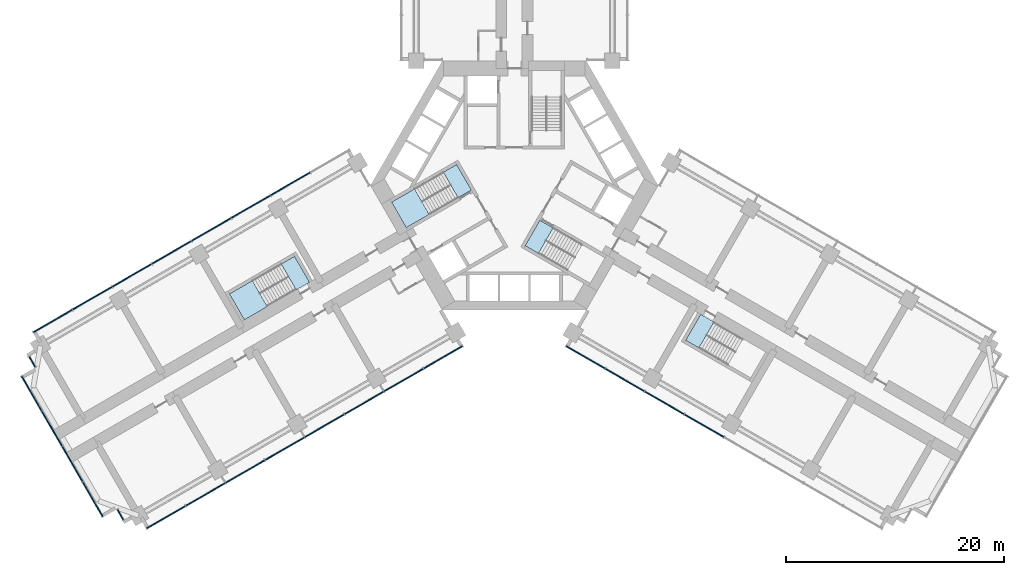
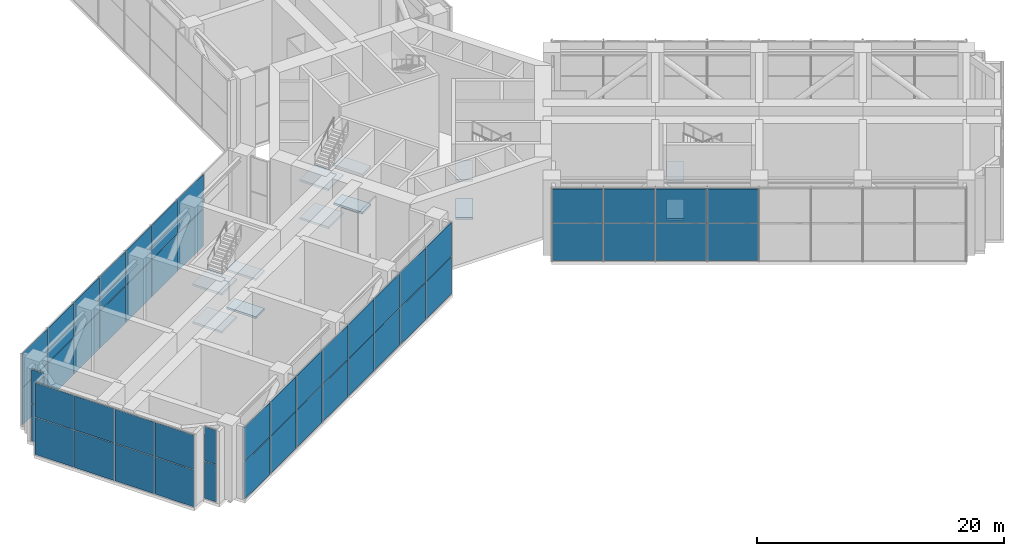
# One storey, part 10 of 19: 50 plates, 12 slabs, 10 elements without a shape of their own.
"""IFC4 building model written with IfcOpenShell, lengths in metres."""

from ifc_helpers import new_model, si_unit, direction, frame, origin, origin_2d, place, context, subcontext, project, spatial, polyline, rectangle, outline, extrude, material, layer, layer_set, type_object, element, aggregate, save


model = new_model("IFC4")

# Units and contexts
model_context = context("Model", 3, precision=1e-05, world=origin(), true_north=direction((0.0, 1.0)))
body_context = subcontext(model_context, "Body", "Model", "MODEL_VIEW")
ifc_project = project(units=[si_unit("LENGTHUNIT", "METRE"), si_unit("AREAUNIT", "SQUARE_METRE"), si_unit("VOLUMEUNIT", "CUBIC_METRE"), si_unit("PLANEANGLEUNIT", "RADIAN"), si_unit("MASSUNIT", "GRAM", prefix="KILO")], contexts=[model_context])

# Site, building, storey
site_placement = place(None, origin())
site = spatial("IfcSite", under=ifc_project, at=site_placement, CompositionType="ELEMENT")
building_placement = place(site_placement, origin())
building = spatial("IfcBuilding", under=site, at=building_placement, Name="Impinga Residences", CompositionType="ELEMENT")
storey_placement = place(building_placement, frame((0.0, 0.0, 93.5)))
storey = spatial("IfcBuildingStorey", under=building, at=storey_placement, Name="L23", CompositionType="ELEMENT", Elevation=93.5)

# Curtain wall, plates
ifc_material_1 = material(Name="Aluminium stick curtain wall", Category="aluminium")
curtain_wall_type = type_object("IfcCurtainWallType", Name="CW4 plant floor louvred curtain wall", PredefinedType="USERDEFINED", material=ifc_material_1)
curtain_wall_1_placement = place(storey_placement, origin())
curtain_wall_1 = element("IfcCurtainWall", 1, at=curtain_wall_1_placement, inside=storey, type_object=curtain_wall_type, Name="Curtain wall CW4 L23", ObjectType="STICK CURTAIN WALL", PredefinedType="USERDEFINED")
ifc_material_2 = material(Name="Aluminium louvre blade panel", Category="aluminium")
ifc_layer_1 = layer(ifc_material_2, 0.10009765625)
ifc_layer_set_1 = layer_set([ifc_layer_1], Name="CW4-P louvre panel 100")
plate_type = type_object("IfcPlateType", Name="CW4-P louvre panel 100", PredefinedType="CURTAIN_PANEL", material=ifc_layer_set_1)
plate_1_placement = place(storey_placement, frame((-36.160888671875, -30.23046875, 0.06005859375), z_axis=(0.0, 0.0, 1.0), x_axis=(-0.499999813995, 0.866025511175, 0.0)))
plate_1 = element("IfcPlate", 2, at=plate_1_placement, type_object=plate_type, Name="CW4 panel 1.1", PredefinedType="CURTAIN_PANEL", context=body_context, shape_type="SweptSolid", body=[
    extrude(rectangle(XDim=1.080078125, YDim=0.10009765625, at=origin_2d()), origin(), (0.0, 0.0, 1.0), 3.659912109375),
])
plate_2_placement = place(storey_placement, frame((-36.160888671875, -30.23046875, 3.77978515625), z_axis=(0.0, 0.0, 1.0), x_axis=(-0.499999813995, 0.866025511175, 0.0)))
plate_2 = element("IfcPlate", 3, at=plate_2_placement, type_object=plate_type, Name="CW4 panel 1.2", PredefinedType="CURTAIN_PANEL", context=body_context, shape_type="SweptSolid", body=[
    extrude(rectangle(XDim=1.080078125, YDim=0.10009765625, at=origin_2d()), origin(), (0.0, 0.0, 1.0), 3.360107421875),
])
aggregate(curtain_wall_1, [plate_1, plate_2])

curtain_wall_2_placement = place(storey_placement, origin())
curtain_wall_2 = element("IfcCurtainWall", 4, at=curtain_wall_2_placement, inside=storey, type_object=curtain_wall_type, Name="Curtain wall CW4 L23", ObjectType="STICK CURTAIN WALL", PredefinedType="USERDEFINED")
plate_3_placement = place(storey_placement, frame((-38.704833984375, -28.82421875, 0.06005859375), z_axis=(0.0, 0.0, 1.0), x_axis=(-0.500000001632, 0.866025402842, 0.0)))
plate_3 = element("IfcPlate", 5, at=plate_3_placement, type_object=plate_type, Name="CW4 panel 1.1", PredefinedType="CURTAIN_PANEL", context=body_context, shape_type="SweptSolid", body=[
    extrude(rectangle(XDim=3.659912109375, YDim=0.10009765625, at=origin_2d()), origin(), (0.0, 0.0, 1.0), 3.659912109375),
])
plate_4_placement = place(storey_placement, frame((-38.704833984375, -28.82421875, 3.77978515625), z_axis=(0.0, 0.0, 1.0), x_axis=(-0.500000001632, 0.866025402842, 0.0)))
plate_4 = element("IfcPlate", 6, at=plate_4_placement, type_object=plate_type, Name="CW4 panel 1.2", PredefinedType="CURTAIN_PANEL", context=body_context, shape_type="SweptSolid", body=[
    extrude(rectangle(XDim=3.659912109375, YDim=0.10009765625, at=origin_2d()), origin(), (0.0, 0.0, 1.0), 3.360107421875),
])
plate_5_placement = place(storey_placement, frame((-40.572509765625, -25.589599609375, 0.06005859375), z_axis=(0.0, 0.0, 1.0), x_axis=(-0.500000001632, 0.866025402842, 0.0)))
plate_5 = element("IfcPlate", 7, at=plate_5_placement, type_object=plate_type, Name="CW4 panel 2.1", PredefinedType="CURTAIN_PANEL", context=body_context, shape_type="SweptSolid", body=[
    extrude(rectangle(XDim=3.68994140625, YDim=0.10009765625, at=origin_2d()), origin(), (0.0, 0.0, 1.0), 3.659912109375),
])
plate_6_placement = place(storey_placement, frame((-40.572509765625, -25.589599609375, 3.77978515625), z_axis=(0.0, 0.0, 1.0), x_axis=(-0.500000001632, 0.866025402842, 0.0)))
plate_6 = element("IfcPlate", 8, at=plate_6_placement, type_object=plate_type, Name="CW4 panel 2.2", PredefinedType="CURTAIN_PANEL", context=body_context, shape_type="SweptSolid", body=[
    extrude(rectangle(XDim=3.68994140625, YDim=0.10009765625, at=origin_2d()), origin(), (0.0, 0.0, 1.0), 3.360107421875),
])
plate_7_placement = place(storey_placement, frame((-42.447509765625, -22.342041015625, 0.06005859375), z_axis=(0.0, 0.0, 1.0), x_axis=(-0.500000001632, 0.866025402842, 0.0)))
plate_7 = element("IfcPlate", 9, at=plate_7_placement, type_object=plate_type, Name="CW4 panel 3.1", PredefinedType="CURTAIN_PANEL", context=body_context, shape_type="SweptSolid", body=[
    extrude(rectangle(XDim=3.68994140625, YDim=0.10009765625, at=origin_2d()), origin(), (0.0, 0.0, 1.0), 3.659912109375),
])
plate_8_placement = place(storey_placement, frame((-42.447509765625, -22.342041015625, 3.77978515625), z_axis=(0.0, 0.0, 1.0), x_axis=(-0.500000001632, 0.866025402842, 0.0)))
plate_8 = element("IfcPlate", 10, at=plate_8_placement, type_object=plate_type, Name="CW4 panel 3.2", PredefinedType="CURTAIN_PANEL", context=body_context, shape_type="SweptSolid", body=[
    extrude(rectangle(XDim=3.68994140625, YDim=0.10009765625, at=origin_2d()), origin(), (0.0, 0.0, 1.0), 3.360107421875),
])
plate_9_placement = place(storey_placement, frame((-44.31494140625, -19.107421875, 0.06005859375), z_axis=(0.0, 0.0, 1.0), x_axis=(-0.500000001632, 0.866025402842, 0.0)))
plate_9 = element("IfcPlate", 11, at=plate_9_placement, type_object=plate_type, Name="CW4 panel 4.1", PredefinedType="CURTAIN_PANEL", context=body_context, shape_type="SweptSolid", body=[
    extrude(rectangle(XDim=3.659912109375, YDim=0.10009765625, at=origin_2d()), origin(), (0.0, 0.0, 1.0), 3.659912109375),
])
plate_10_placement = place(storey_placement, frame((-44.31494140625, -19.107421875, 3.77978515625), z_axis=(0.0, 0.0, 1.0), x_axis=(-0.500000001632, 0.866025402842, 0.0)))
plate_10 = element("IfcPlate", 12, at=plate_10_placement, type_object=plate_type, Name="CW4 panel 4.2", PredefinedType="CURTAIN_PANEL", context=body_context, shape_type="SweptSolid", body=[
    extrude(rectangle(XDim=3.659912109375, YDim=0.10009765625, at=origin_2d()), origin(), (0.0, 0.0, 1.0), 3.360107421875),
])
aggregate(curtain_wall_2, [plate_3, plate_4, plate_5, plate_6, plate_7, plate_8, plate_9, plate_10])

curtain_wall_3_placement = place(storey_placement, origin())
curtain_wall_3 = element("IfcCurtainWall", 13, at=curtain_wall_3_placement, inside=storey, type_object=curtain_wall_type, Name="Curtain wall CW4 L23", ObjectType="STICK CURTAIN WALL", PredefinedType="USERDEFINED")
plate_11_placement = place(storey_placement, frame((-44.260986328125, -16.200927734375, 0.06005859375), z_axis=(0.0, 0.0, 1.0), x_axis=(-0.50000017485, 0.866025302835, 0.0)))
plate_11 = element("IfcPlate", 14, at=plate_11_placement, type_object=plate_type, Name="CW4 panel 1.1", PredefinedType="CURTAIN_PANEL", context=body_context, shape_type="SweptSolid", body=[
    extrude(rectangle(XDim=1.080078125, YDim=0.10009765625, at=origin_2d()), origin(), (0.0, 0.0, 1.0), 3.659912109375),
])
plate_12_placement = place(storey_placement, frame((-44.260986328125, -16.200927734375, 3.77978515625), z_axis=(0.0, 0.0, 1.0), x_axis=(-0.50000017485, 0.866025302835, 0.0)))
plate_12 = element("IfcPlate", 15, at=plate_12_placement, type_object=plate_type, Name="CW4 panel 1.2", PredefinedType="CURTAIN_PANEL", context=body_context, shape_type="SweptSolid", body=[
    extrude(rectangle(XDim=1.080078125, YDim=0.10009765625, at=origin_2d()), origin(), (0.0, 0.0, 1.0), 3.360107421875),
])
aggregate(curtain_wall_3, [plate_11, plate_12])

curtain_wall_4_placement = place(storey_placement, origin())
curtain_wall_4 = element("IfcCurtainWall", 16, at=curtain_wall_4_placement, inside=storey, type_object=curtain_wall_type, Name="Curtain wall CW4 L23", ObjectType="STICK CURTAIN WALL", PredefinedType="USERDEFINED")
plate_13_placement = place(storey_placement, frame((-42.36669921875, -12.45166015625, 0.06005859375), z_axis=(0.0, 0.0, 1.0), x_axis=(0.866025407005, 0.499999994423, 0.0)))
plate_13 = element("IfcPlate", 17, at=plate_13_placement, type_object=plate_type, Name="CW4 panel 1.1", PredefinedType="CURTAIN_PANEL", context=body_context, shape_type="SweptSolid", body=[
    extrude(rectangle(XDim=4.110107421875, YDim=0.10009765625, at=origin_2d()), origin(), (0.0, 0.0, 1.0), 3.659912109375),
])
plate_14_placement = place(storey_placement, frame((-42.36669921875, -12.45166015625, 3.77978515625), z_axis=(0.0, 0.0, 1.0), x_axis=(0.866025407005, 0.499999994423, 0.0)))
plate_14 = element("IfcPlate", 18, at=plate_14_placement, type_object=plate_type, Name="CW4 panel 1.2", PredefinedType="CURTAIN_PANEL", context=body_context, shape_type="SweptSolid", body=[
    extrude(rectangle(XDim=4.110107421875, YDim=0.10009765625, at=origin_2d()), origin(), (0.0, 0.0, 1.0), 3.360107421875),
])
plate_15_placement = place(storey_placement, frame((-38.742431640625, -10.359130859375, 0.06005859375), z_axis=(0.0, 0.0, 1.0), x_axis=(0.866025407005, 0.499999994423, 0.0)))
plate_15 = element("IfcPlate", 19, at=plate_15_placement, type_object=plate_type, Name="CW4 panel 2.1", PredefinedType="CURTAIN_PANEL", context=body_context, shape_type="SweptSolid", body=[
    extrude(rectangle(XDim=4.139892578125, YDim=0.10009765625, at=origin_2d()), origin(), (0.0, 0.0, 1.0), 3.659912109375),
])
plate_16_placement = place(storey_placement, frame((-38.742431640625, -10.359130859375, 3.77978515625), z_axis=(0.0, 0.0, 1.0), x_axis=(0.866025407005, 0.499999994423, 0.0)))
plate_16 = element("IfcPlate", 20, at=plate_16_placement, type_object=plate_type, Name="CW4 panel 2.2", PredefinedType="CURTAIN_PANEL", context=body_context, shape_type="SweptSolid", body=[
    extrude(rectangle(XDim=4.139892578125, YDim=0.10009765625, at=origin_2d()), origin(), (0.0, 0.0, 1.0), 3.360107421875),
])
plate_17_placement = place(storey_placement, frame((-35.105224609375, -8.259033203125, 0.06005859375), z_axis=(0.0, 0.0, 1.0), x_axis=(0.866025407005, 0.499999994423, 0.0)))
plate_17 = element("IfcPlate", 21, at=plate_17_placement, type_object=plate_type, Name="CW4 panel 3.1", PredefinedType="CURTAIN_PANEL", context=body_context, shape_type="SweptSolid", body=[
    extrude(rectangle(XDim=4.139892578125, YDim=0.10009765625, at=origin_2d()), origin(), (0.0, 0.0, 1.0), 3.659912109375),
])
plate_18_placement = place(storey_placement, frame((-35.105224609375, -8.259033203125, 3.77978515625), z_axis=(0.0, 0.0, 1.0), x_axis=(0.866025407005, 0.499999994423, 0.0)))
plate_18 = element("IfcPlate", 22, at=plate_18_placement, type_object=plate_type, Name="CW4 panel 3.2", PredefinedType="CURTAIN_PANEL", context=body_context, shape_type="SweptSolid", body=[
    extrude(rectangle(XDim=4.139892578125, YDim=0.10009765625, at=origin_2d()), origin(), (0.0, 0.0, 1.0), 3.360107421875),
])
plate_19_placement = place(storey_placement, frame((-31.4677734375, -6.1591796875, 0.06005859375), z_axis=(0.0, 0.0, 1.0), x_axis=(0.866025407005, 0.499999994423, 0.0)))
plate_19 = element("IfcPlate", 23, at=plate_19_placement, type_object=plate_type, Name="CW4 panel 4.1", PredefinedType="CURTAIN_PANEL", context=body_context, shape_type="SweptSolid", body=[
    extrude(rectangle(XDim=4.139892578125, YDim=0.10009765625, at=origin_2d()), origin(), (0.0, 0.0, 1.0), 3.659912109375),
])
plate_20_placement = place(storey_placement, frame((-31.4677734375, -6.1591796875, 3.77978515625), z_axis=(0.0, 0.0, 1.0), x_axis=(0.866025407005, 0.499999994423, 0.0)))
plate_20 = element("IfcPlate", 24, at=plate_20_placement, type_object=plate_type, Name="CW4 panel 4.2", PredefinedType="CURTAIN_PANEL", context=body_context, shape_type="SweptSolid", body=[
    extrude(rectangle(XDim=4.139892578125, YDim=0.10009765625, at=origin_2d()), origin(), (0.0, 0.0, 1.0), 3.360107421875),
])
plate_21_placement = place(storey_placement, frame((-27.83056640625, -4.05908203125, 0.06005859375), z_axis=(0.0, 0.0, 1.0), x_axis=(0.866025407005, 0.499999994423, 0.0)))
plate_21 = element("IfcPlate", 25, at=plate_21_placement, type_object=plate_type, Name="CW4 panel 5.1", PredefinedType="CURTAIN_PANEL", context=body_context, shape_type="SweptSolid", body=[
    extrude(rectangle(XDim=4.139892578125, YDim=0.10009765625, at=origin_2d()), origin(), (0.0, 0.0, 1.0), 3.659912109375),
])
plate_22_placement = place(storey_placement, frame((-27.83056640625, -4.05908203125, 3.77978515625), z_axis=(0.0, 0.0, 1.0), x_axis=(0.866025407005, 0.499999994423, 0.0)))
plate_22 = element("IfcPlate", 26, at=plate_22_placement, type_object=plate_type, Name="CW4 panel 5.2", PredefinedType="CURTAIN_PANEL", context=body_context, shape_type="SweptSolid", body=[
    extrude(rectangle(XDim=4.139892578125, YDim=0.10009765625, at=origin_2d()), origin(), (0.0, 0.0, 1.0), 3.360107421875),
])
plate_23_placement = place(storey_placement, frame((-24.193359375, -1.958984375, 0.06005859375), z_axis=(0.0, 0.0, 1.0), x_axis=(0.866025407005, 0.499999994423, 0.0)))
plate_23 = element("IfcPlate", 27, at=plate_23_placement, type_object=plate_type, Name="CW4 panel 6.1", PredefinedType="CURTAIN_PANEL", context=body_context, shape_type="SweptSolid", body=[
    extrude(rectangle(XDim=4.139892578125, YDim=0.10009765625, at=origin_2d()), origin(), (0.0, 0.0, 1.0), 3.659912109375),
])
plate_24_placement = place(storey_placement, frame((-24.193359375, -1.958984375, 3.77978515625), z_axis=(0.0, 0.0, 1.0), x_axis=(0.866025407005, 0.499999994423, 0.0)))
plate_24 = element("IfcPlate", 28, at=plate_24_placement, type_object=plate_type, Name="CW4 panel 6.2", PredefinedType="CURTAIN_PANEL", context=body_context, shape_type="SweptSolid", body=[
    extrude(rectangle(XDim=4.139892578125, YDim=0.10009765625, at=origin_2d()), origin(), (0.0, 0.0, 1.0), 3.360107421875),
])
plate_25_placement = place(storey_placement, frame((-20.555908203125, 0.140869140625, 0.06005859375), z_axis=(0.0, 0.0, 1.0), x_axis=(0.866025407005, 0.499999994423, 0.0)))
plate_25 = element("IfcPlate", 29, at=plate_25_placement, type_object=plate_type, Name="CW4 panel 7.1", PredefinedType="CURTAIN_PANEL", context=body_context, shape_type="SweptSolid", body=[
    extrude(rectangle(XDim=4.139892578125, YDim=0.10009765625, at=origin_2d()), origin(), (0.0, 0.0, 1.0), 3.659912109375),
])
plate_26_placement = place(storey_placement, frame((-20.555908203125, 0.140869140625, 3.77978515625), z_axis=(0.0, 0.0, 1.0), x_axis=(0.866025407005, 0.499999994423, 0.0)))
plate_26 = element("IfcPlate", 30, at=plate_26_placement, type_object=plate_type, Name="CW4 panel 7.2", PredefinedType="CURTAIN_PANEL", context=body_context, shape_type="SweptSolid", body=[
    extrude(rectangle(XDim=4.139892578125, YDim=0.10009765625, at=origin_2d()), origin(), (0.0, 0.0, 1.0), 3.360107421875),
])
aggregate(curtain_wall_4, [plate_13, plate_14, plate_15, plate_16, plate_17, plate_18, plate_19, plate_20, plate_21, plate_22, plate_23, plate_24, plate_25, plate_26])

curtain_wall_5_placement = place(storey_placement, origin())
curtain_wall_5 = element("IfcCurtainWall", 31, at=curtain_wall_5_placement, inside=storey, type_object=curtain_wall_type, Name="Curtain wall CW4 L23", ObjectType="STICK CURTAIN WALL", PredefinedType="USERDEFINED")
plate_27_placement = place(storey_placement, frame((17.4306640625, -22.072509765625, 0.06005859375), z_axis=(0.0, 0.0, 1.0), x_axis=(-0.866025407005, 0.499999994423, 0.0)))
plate_27 = element("IfcPlate", 32, at=plate_27_placement, type_object=plate_type, Name="CW4 panel 5.1", PredefinedType="CURTAIN_PANEL", context=body_context, shape_type="SweptSolid", body=[
    extrude(rectangle(XDim=4.139892578125, YDim=0.10009765625, at=origin_2d()), origin(), (0.0, 0.0, 1.0), 3.659912109375),
])
plate_28_placement = place(storey_placement, frame((17.4306640625, -22.072509765625, 3.77978515625), z_axis=(0.0, 0.0, 1.0), x_axis=(-0.866025407005, 0.499999994423, 0.0)))
plate_28 = element("IfcPlate", 33, at=plate_28_placement, type_object=plate_type, Name="CW4 panel 5.2", PredefinedType="CURTAIN_PANEL", context=body_context, shape_type="SweptSolid", body=[
    extrude(rectangle(XDim=4.139892578125, YDim=0.10009765625, at=origin_2d()), origin(), (0.0, 0.0, 1.0), 3.360107421875),
])
plate_29_placement = place(storey_placement, frame((13.793212890625, -19.972412109375, 0.06005859375), z_axis=(0.0, 0.0, 1.0), x_axis=(-0.866025407005, 0.499999994423, 0.0)))
plate_29 = element("IfcPlate", 34, at=plate_29_placement, type_object=plate_type, Name="CW4 panel 6.1", PredefinedType="CURTAIN_PANEL", context=body_context, shape_type="SweptSolid", body=[
    extrude(rectangle(XDim=4.139892578125, YDim=0.10009765625, at=origin_2d()), origin(), (0.0, 0.0, 1.0), 3.659912109375),
])
plate_30_placement = place(storey_placement, frame((13.793212890625, -19.972412109375, 3.77978515625), z_axis=(0.0, 0.0, 1.0), x_axis=(-0.866025407005, 0.499999994423, 0.0)))
plate_30 = element("IfcPlate", 35, at=plate_30_placement, type_object=plate_type, Name="CW4 panel 6.2", PredefinedType="CURTAIN_PANEL", context=body_context, shape_type="SweptSolid", body=[
    extrude(rectangle(XDim=4.139892578125, YDim=0.10009765625, at=origin_2d()), origin(), (0.0, 0.0, 1.0), 3.360107421875),
])
plate_31_placement = place(storey_placement, frame((10.156005859375, -17.872314453125, 0.06005859375), z_axis=(0.0, 0.0, 1.0), x_axis=(-0.866025407005, 0.499999994423, 0.0)))
plate_31 = element("IfcPlate", 36, at=plate_31_placement, type_object=plate_type, Name="CW4 panel 7.1", PredefinedType="CURTAIN_PANEL", context=body_context, shape_type="SweptSolid", body=[
    extrude(rectangle(XDim=4.139892578125, YDim=0.10009765625, at=origin_2d()), origin(), (0.0, 0.0, 1.0), 3.659912109375),
])
plate_32_placement = place(storey_placement, frame((10.156005859375, -17.872314453125, 3.77978515625), z_axis=(0.0, 0.0, 1.0), x_axis=(-0.866025407005, 0.499999994423, 0.0)))
plate_32 = element("IfcPlate", 37, at=plate_32_placement, type_object=plate_type, Name="CW4 panel 7.2", PredefinedType="CURTAIN_PANEL", context=body_context, shape_type="SweptSolid", body=[
    extrude(rectangle(XDim=4.139892578125, YDim=0.10009765625, at=origin_2d()), origin(), (0.0, 0.0, 1.0), 3.360107421875),
])
plate_33_placement = place(storey_placement, frame((6.53173828125, -15.780029296875, 0.06005859375), z_axis=(0.0, 0.0, 1.0), x_axis=(-0.866025407005, 0.499999994423, 0.0)))
plate_33 = element("IfcPlate", 38, at=plate_33_placement, type_object=plate_type, Name="CW4 panel 8.1", PredefinedType="CURTAIN_PANEL", context=body_context, shape_type="SweptSolid", body=[
    extrude(rectangle(XDim=4.110107421875, YDim=0.10009765625, at=origin_2d()), origin(), (0.0, 0.0, 1.0), 3.659912109375),
])
plate_34_placement = place(storey_placement, frame((6.53173828125, -15.780029296875, 3.77978515625), z_axis=(0.0, 0.0, 1.0), x_axis=(-0.866025407005, 0.499999994423, 0.0)))
plate_34 = element("IfcPlate", 39, at=plate_34_placement, type_object=plate_type, Name="CW4 panel 8.2", PredefinedType="CURTAIN_PANEL", context=body_context, shape_type="SweptSolid", body=[
    extrude(rectangle(XDim=4.110107421875, YDim=0.10009765625, at=origin_2d()), origin(), (0.0, 0.0, 1.0), 3.360107421875),
])
aggregate(curtain_wall_5, [plate_27, plate_28, plate_29, plate_30, plate_31, plate_32, plate_33, plate_34])

curtain_wall_6_placement = place(storey_placement, origin())
curtain_wall_6 = element("IfcCurtainWall", 40, at=curtain_wall_6_placement, inside=storey, type_object=curtain_wall_type, Name="Curtain wall CW4 L23", ObjectType="STICK CURTAIN WALL", PredefinedType="USERDEFINED")
plate_35_placement = place(storey_placement, frame((-6.53173828125, -15.780029296875, 0.06005859375), z_axis=(0.0, 0.0, 1.0), x_axis=(-0.866025407005, -0.499999994423, 0.0)))
plate_35 = element("IfcPlate", 41, at=plate_35_placement, type_object=plate_type, Name="CW4 panel 1.1", PredefinedType="CURTAIN_PANEL", context=body_context, shape_type="SweptSolid", body=[
    extrude(rectangle(XDim=4.110107421875, YDim=0.10009765625, at=origin_2d()), origin(), (0.0, 0.0, 1.0), 3.659912109375),
])
plate_36_placement = place(storey_placement, frame((-6.53173828125, -15.780029296875, 3.77978515625), z_axis=(0.0, 0.0, 1.0), x_axis=(-0.866025407005, -0.499999994423, 0.0)))
plate_36 = element("IfcPlate", 42, at=plate_36_placement, type_object=plate_type, Name="CW4 panel 1.2", PredefinedType="CURTAIN_PANEL", context=body_context, shape_type="SweptSolid", body=[
    extrude(rectangle(XDim=4.110107421875, YDim=0.10009765625, at=origin_2d()), origin(), (0.0, 0.0, 1.0), 3.360107421875),
])
plate_37_placement = place(storey_placement, frame((-10.156005859375, -17.872314453125, 0.06005859375), z_axis=(0.0, 0.0, 1.0), x_axis=(-0.866025407005, -0.499999994423, 0.0)))
plate_37 = element("IfcPlate", 43, at=plate_37_placement, type_object=plate_type, Name="CW4 panel 2.1", PredefinedType="CURTAIN_PANEL", context=body_context, shape_type="SweptSolid", body=[
    extrude(rectangle(XDim=4.139892578125, YDim=0.10009765625, at=origin_2d()), origin(), (0.0, 0.0, 1.0), 3.659912109375),
])
plate_38_placement = place(storey_placement, frame((-10.156005859375, -17.872314453125, 3.77978515625), z_axis=(0.0, 0.0, 1.0), x_axis=(-0.866025407005, -0.499999994423, 0.0)))
plate_38 = element("IfcPlate", 44, at=plate_38_placement, type_object=plate_type, Name="CW4 panel 2.2", PredefinedType="CURTAIN_PANEL", context=body_context, shape_type="SweptSolid", body=[
    extrude(rectangle(XDim=4.139892578125, YDim=0.10009765625, at=origin_2d()), origin(), (0.0, 0.0, 1.0), 3.360107421875),
])
plate_39_placement = place(storey_placement, frame((-13.793212890625, -19.972412109375, 0.06005859375), z_axis=(0.0, 0.0, 1.0), x_axis=(-0.866025407005, -0.499999994423, 0.0)))
plate_39 = element("IfcPlate", 45, at=plate_39_placement, type_object=plate_type, Name="CW4 panel 3.1", PredefinedType="CURTAIN_PANEL", context=body_context, shape_type="SweptSolid", body=[
    extrude(rectangle(XDim=4.139892578125, YDim=0.10009765625, at=origin_2d()), origin(), (0.0, 0.0, 1.0), 3.659912109375),
])
plate_40_placement = place(storey_placement, frame((-13.793212890625, -19.972412109375, 3.77978515625), z_axis=(0.0, 0.0, 1.0), x_axis=(-0.866025407005, -0.499999994423, 0.0)))
plate_40 = element("IfcPlate", 46, at=plate_40_placement, type_object=plate_type, Name="CW4 panel 3.2", PredefinedType="CURTAIN_PANEL", context=body_context, shape_type="SweptSolid", body=[
    extrude(rectangle(XDim=4.139892578125, YDim=0.10009765625, at=origin_2d()), origin(), (0.0, 0.0, 1.0), 3.360107421875),
])
plate_41_placement = place(storey_placement, frame((-17.4306640625, -22.072509765625, 0.06005859375), z_axis=(0.0, 0.0, 1.0), x_axis=(-0.866025407005, -0.499999994423, 0.0)))
plate_41 = element("IfcPlate", 47, at=plate_41_placement, type_object=plate_type, Name="CW4 panel 4.1", PredefinedType="CURTAIN_PANEL", context=body_context, shape_type="SweptSolid", body=[
    extrude(rectangle(XDim=4.139892578125, YDim=0.10009765625, at=origin_2d()), origin(), (0.0, 0.0, 1.0), 3.659912109375),
])
plate_42_placement = place(storey_placement, frame((-17.4306640625, -22.072509765625, 3.77978515625), z_axis=(0.0, 0.0, 1.0), x_axis=(-0.866025407005, -0.499999994423, 0.0)))
plate_42 = element("IfcPlate", 48, at=plate_42_placement, type_object=plate_type, Name="CW4 panel 4.2", PredefinedType="CURTAIN_PANEL", context=body_context, shape_type="SweptSolid", body=[
    extrude(rectangle(XDim=4.139892578125, YDim=0.10009765625, at=origin_2d()), origin(), (0.0, 0.0, 1.0), 3.360107421875),
])
plate_43_placement = place(storey_placement, frame((-21.06787109375, -24.17236328125, 0.06005859375), z_axis=(0.0, 0.0, 1.0), x_axis=(-0.866025407005, -0.499999994423, 0.0)))
plate_43 = element("IfcPlate", 49, at=plate_43_placement, type_object=plate_type, Name="CW4 panel 5.1", PredefinedType="CURTAIN_PANEL", context=body_context, shape_type="SweptSolid", body=[
    extrude(rectangle(XDim=4.139892578125, YDim=0.10009765625, at=origin_2d()), origin(), (0.0, 0.0, 1.0), 3.659912109375),
])
plate_44_placement = place(storey_placement, frame((-21.06787109375, -24.17236328125, 3.77978515625), z_axis=(0.0, 0.0, 1.0), x_axis=(-0.866025407005, -0.499999994423, 0.0)))
plate_44 = element("IfcPlate", 50, at=plate_44_placement, type_object=plate_type, Name="CW4 panel 5.2", PredefinedType="CURTAIN_PANEL", context=body_context, shape_type="SweptSolid", body=[
    extrude(rectangle(XDim=4.139892578125, YDim=0.10009765625, at=origin_2d()), origin(), (0.0, 0.0, 1.0), 3.360107421875),
])
plate_45_placement = place(storey_placement, frame((-24.705078125, -26.2724609375, 0.06005859375), z_axis=(0.0, 0.0, 1.0), x_axis=(-0.866025407005, -0.499999994423, 0.0)))
plate_45 = element("IfcPlate", 51, at=plate_45_placement, type_object=plate_type, Name="CW4 panel 6.1", PredefinedType="CURTAIN_PANEL", context=body_context, shape_type="SweptSolid", body=[
    extrude(rectangle(XDim=4.139892578125, YDim=0.10009765625, at=origin_2d()), origin(), (0.0, 0.0, 1.0), 3.659912109375),
])
plate_46_placement = place(storey_placement, frame((-24.705078125, -26.2724609375, 3.77978515625), z_axis=(0.0, 0.0, 1.0), x_axis=(-0.866025407005, -0.499999994423, 0.0)))
plate_46 = element("IfcPlate", 52, at=plate_46_placement, type_object=plate_type, Name="CW4 panel 6.2", PredefinedType="CURTAIN_PANEL", context=body_context, shape_type="SweptSolid", body=[
    extrude(rectangle(XDim=4.139892578125, YDim=0.10009765625, at=origin_2d()), origin(), (0.0, 0.0, 1.0), 3.360107421875),
])
plate_47_placement = place(storey_placement, frame((-28.342529296875, -28.372314453125, 0.06005859375), z_axis=(0.0, 0.0, 1.0), x_axis=(-0.866025407005, -0.499999994423, 0.0)))
plate_47 = element("IfcPlate", 53, at=plate_47_placement, type_object=plate_type, Name="CW4 panel 7.1", PredefinedType="CURTAIN_PANEL", context=body_context, shape_type="SweptSolid", body=[
    extrude(rectangle(XDim=4.139892578125, YDim=0.10009765625, at=origin_2d()), origin(), (0.0, 0.0, 1.0), 3.659912109375),
])
plate_48_placement = place(storey_placement, frame((-28.342529296875, -28.372314453125, 3.77978515625), z_axis=(0.0, 0.0, 1.0), x_axis=(-0.866025407005, -0.499999994423, 0.0)))
plate_48 = element("IfcPlate", 54, at=plate_48_placement, type_object=plate_type, Name="CW4 panel 7.2", PredefinedType="CURTAIN_PANEL", context=body_context, shape_type="SweptSolid", body=[
    extrude(rectangle(XDim=4.139892578125, YDim=0.10009765625, at=origin_2d()), origin(), (0.0, 0.0, 1.0), 3.360107421875),
])
plate_49_placement = place(storey_placement, frame((-31.966796875, -30.46484375, 0.06005859375), z_axis=(0.0, 0.0, 1.0), x_axis=(-0.866025407005, -0.499999994423, 0.0)))
plate_49 = element("IfcPlate", 55, at=plate_49_placement, type_object=plate_type, Name="CW4 panel 8.1", PredefinedType="CURTAIN_PANEL", context=body_context, shape_type="SweptSolid", body=[
    extrude(rectangle(XDim=4.110107421875, YDim=0.10009765625, at=origin_2d()), origin(), (0.0, 0.0, 1.0), 3.659912109375),
])
plate_50_placement = place(storey_placement, frame((-31.966796875, -30.46484375, 3.77978515625), z_axis=(0.0, 0.0, 1.0), x_axis=(-0.866025407005, -0.499999994423, 0.0)))
plate_50 = element("IfcPlate", 56, at=plate_50_placement, type_object=plate_type, Name="CW4 panel 8.2", PredefinedType="CURTAIN_PANEL", context=body_context, shape_type="SweptSolid", body=[
    extrude(rectangle(XDim=4.110107421875, YDim=0.10009765625, at=origin_2d()), origin(), (0.0, 0.0, 1.0), 3.360107421875),
])
aggregate(curtain_wall_6, [plate_35, plate_36, plate_37, plate_38, plate_39, plate_40, plate_41, plate_42, plate_43, plate_44, plate_45, plate_46, plate_47, plate_48, plate_49, plate_50])

# Stair, slabs
ifc_material_3 = material(Name="Concrete C40/50", Category="concrete")
stair_type_1 = type_object("IfcStairType", Name="STR core stair 7500 storey, 48 risers", PredefinedType="HALF_TURN_STAIR", material=ifc_material_3)
stair_1_placement = place(storey_placement, origin())
stair_1 = element("IfcStair", 57, at=stair_1_placement, inside=storey, type_object=stair_type_1, Name="Stair ST2 L23", PredefinedType="HALF_TURN_STAIR")
ifc_layer_2 = layer(ifc_material_3, 0.199951171875)
ifc_layer_set_2 = layer_set([ifc_layer_2], Name="Concrete C40/50")
slab_type = type_object("IfcSlabType", Name="LS1 stair landing 200", PredefinedType="LANDING", material=ifc_layer_set_2)
slab_1_placement = place(storey_placement, frame((0.0, 0.0, -0.199951171875)))
slab_1 = element("IfcSlab", 58, at=slab_1_placement, type_object=slab_type, Name="ST2 landing 1", PredefinedType="LANDING", context=body_context, shape_type="SweptSolid", body=[
    extrude(outline(polyline([(-3.943603515625, -0.429443359375), (-5.293701171875, 1.908935546875), (-6.5146484375, 1.203857421875), (-5.164794921875, -1.13427734375), (-3.943603515625, -0.429443359375)])), origin(), (0.0, 0.0, 1.0), 0.199951171875),
])
slab_2_placement = place(storey_placement, frame((0.0, 0.0, 1.675048828125)))
slab_2 = element("IfcSlab", 59, at=slab_2_placement, type_object=slab_type, Name="ST2 landing 2", PredefinedType="LANDING", context=body_context, shape_type="SweptSolid", body=[
    extrude(outline(polyline([(-7.814697265625, -2.664306640625), (-9.164794921875, -0.326171875), (-11.2705078125, -1.541748046875), (-9.920654296875, -3.880126953125), (-7.814697265625, -2.664306640625)])), origin(), (0.0, 0.0, 1.0), 0.199951171875),
])
slab_3_placement = place(storey_placement, frame((0.0, 0.0, 3.550048828125)))
slab_3 = element("IfcSlab", 60, at=slab_3_placement, type_object=slab_type, Name="ST2 landing 3", PredefinedType="LANDING", context=body_context, shape_type="SweptSolid", body=[
    extrude(outline(polyline([(-3.943603515625, -0.429443359375), (-5.293701171875, 1.908935546875), (-6.5146484375, 1.203857421875), (-5.164794921875, -1.13427734375), (-3.943603515625, -0.429443359375)])), origin(), (0.0, 0.0, 1.0), 0.199951171875),
])
slab_4_placement = place(storey_placement, frame((0.0, 0.0, 5.425048828125)))
slab_4 = element("IfcSlab", 61, at=slab_4_placement, type_object=slab_type, Name="ST2 landing 4", PredefinedType="LANDING", context=body_context, shape_type="SweptSolid", body=[
    extrude(outline(polyline([(-7.814697265625, -2.664306640625), (-9.164794921875, -0.326171875), (-11.2705078125, -1.541748046875), (-9.920654296875, -3.880126953125), (-7.814697265625, -2.664306640625)])), origin(), (0.0, 0.0, 1.0), 0.199951171875),
])
aggregate(stair_1, [slab_1, slab_2, slab_3, slab_4])

stair_2_placement = place(storey_placement, origin())
stair_2 = element("IfcStair", 62, at=stair_2_placement, inside=storey, type_object=stair_type_1, Name="Stair ST3 L23", PredefinedType="HALF_TURN_STAIR")
slab_5_placement = place(storey_placement, frame((0.0, 0.0, -0.199951171875)))
slab_5 = element("IfcSlab", 63, at=slab_5_placement, type_object=slab_type, Name="ST3 landing 1", PredefinedType="LANDING", context=body_context, shape_type="SweptSolid", body=[
    extrude(outline(polyline([(2.34375, -3.20068359375), (0.99365234375, -5.538818359375), (2.21484375, -6.243896484375), (3.564697265625, -3.90576171875), (2.34375, -3.20068359375)])), origin(), (0.0, 0.0, 1.0), 0.199951171875),
])
slab_6_placement = place(storey_placement, frame((0.0, 0.0, 3.550048828125)))
slab_6 = element("IfcSlab", 64, at=slab_6_placement, type_object=slab_type, Name="ST3 landing 3", PredefinedType="LANDING", context=body_context, shape_type="SweptSolid", body=[
    extrude(outline(polyline([(2.34375, -3.20068359375), (0.99365234375, -5.538818359375), (2.21484375, -6.243896484375), (3.564697265625, -3.90576171875), (2.34375, -3.20068359375)])), origin(), (0.0, 0.0, 1.0), 0.199951171875),
])
aggregate(stair_2, [slab_5, slab_6])

stair_type_2 = type_object("IfcStairType", Name="STR wing stair 7500 storey, 48 risers", PredefinedType="HALF_TURN_STAIR", material=ifc_material_3)
stair_3_placement = place(storey_placement, origin())
stair_3 = element("IfcStair", 65, at=stair_3_placement, inside=storey, type_object=stair_type_2, Name="Stair WS2 L23", PredefinedType="HALF_TURN_STAIR")
slab_7_placement = place(storey_placement, frame((0.0, 0.0, -0.199951171875)))
slab_7 = element("IfcSlab", 66, at=slab_7_placement, type_object=slab_type, Name="WS2 landing 1", PredefinedType="LANDING", context=body_context, shape_type="SweptSolid", body=[
    extrude(outline(polyline([(-18.803955078125, -8.8935546875), (-20.178955078125, -6.511962890625), (-21.400146484375, -7.217041015625), (-20.025146484375, -9.5986328125), (-18.803955078125, -8.8935546875)])), origin(), (0.0, 0.0, 1.0), 0.199951171875),
])
slab_8_placement = place(storey_placement, frame((0.0, 0.0, 1.675048828125)))
slab_8 = element("IfcSlab", 67, at=slab_8_placement, type_object=slab_type, Name="WS2 landing 2", PredefinedType="LANDING", context=body_context, shape_type="SweptSolid", body=[
    extrude(outline(polyline([(-22.675048828125, -11.12841796875), (-24.050048828125, -8.7470703125), (-26.154541015625, -9.9619140625), (-24.779541015625, -12.343505859375), (-22.675048828125, -11.12841796875)])), origin(), (0.0, 0.0, 1.0), 0.199951171875),
])
slab_9_placement = place(storey_placement, frame((0.0, 0.0, 3.550048828125)))
slab_9 = element("IfcSlab", 68, at=slab_9_placement, type_object=slab_type, Name="WS2 landing 3", PredefinedType="LANDING", context=body_context, shape_type="SweptSolid", body=[
    extrude(outline(polyline([(-18.803955078125, -8.8935546875), (-20.178955078125, -6.511962890625), (-21.400146484375, -7.217041015625), (-20.025146484375, -9.5986328125), (-18.803955078125, -8.8935546875)])), origin(), (0.0, 0.0, 1.0), 0.199951171875),
])
slab_10_placement = place(storey_placement, frame((0.0, 0.0, 5.425048828125)))
slab_10 = element("IfcSlab", 69, at=slab_10_placement, type_object=slab_type, Name="WS2 landing 4", PredefinedType="LANDING", context=body_context, shape_type="SweptSolid", body=[
    extrude(outline(polyline([(-22.675048828125, -11.12841796875), (-24.050048828125, -8.7470703125), (-26.154541015625, -9.9619140625), (-24.779541015625, -12.343505859375), (-22.675048828125, -11.12841796875)])), origin(), (0.0, 0.0, 1.0), 0.199951171875),
])
aggregate(stair_3, [slab_7, slab_8, slab_9, slab_10])

stair_4_placement = place(storey_placement, origin())
stair_4 = element("IfcStair", 70, at=stair_4_placement, inside=storey, type_object=stair_type_2, Name="Stair WS3 L23", PredefinedType="HALF_TURN_STAIR")
slab_11_placement = place(storey_placement, frame((0.0, 0.0, -0.199951171875)))
slab_11 = element("IfcSlab", 71, at=slab_11_placement, type_object=slab_type, Name="WS3 landing 1", PredefinedType="LANDING", context=body_context, shape_type="SweptSolid", body=[
    extrude(outline(polyline([(17.10400390625, -11.837890625), (15.72900390625, -14.219482421875), (16.9501953125, -14.924560546875), (18.3251953125, -12.54296875), (17.10400390625, -11.837890625)])), origin(), (0.0, 0.0, 1.0), 0.199951171875),
])
slab_12_placement = place(storey_placement, frame((0.0, 0.0, 3.550048828125)))
slab_12 = element("IfcSlab", 72, at=slab_12_placement, type_object=slab_type, Name="WS3 landing 3", PredefinedType="LANDING", context=body_context, shape_type="SweptSolid", body=[
    extrude(outline(polyline([(17.10400390625, -11.837890625), (15.72900390625, -14.219482421875), (16.9501953125, -14.924560546875), (18.3251953125, -12.54296875), (17.10400390625, -11.837890625)])), origin(), (0.0, 0.0, 1.0), 0.199951171875),
])
aggregate(stair_4, [slab_11, slab_12])

save(model, "model.ifc")
